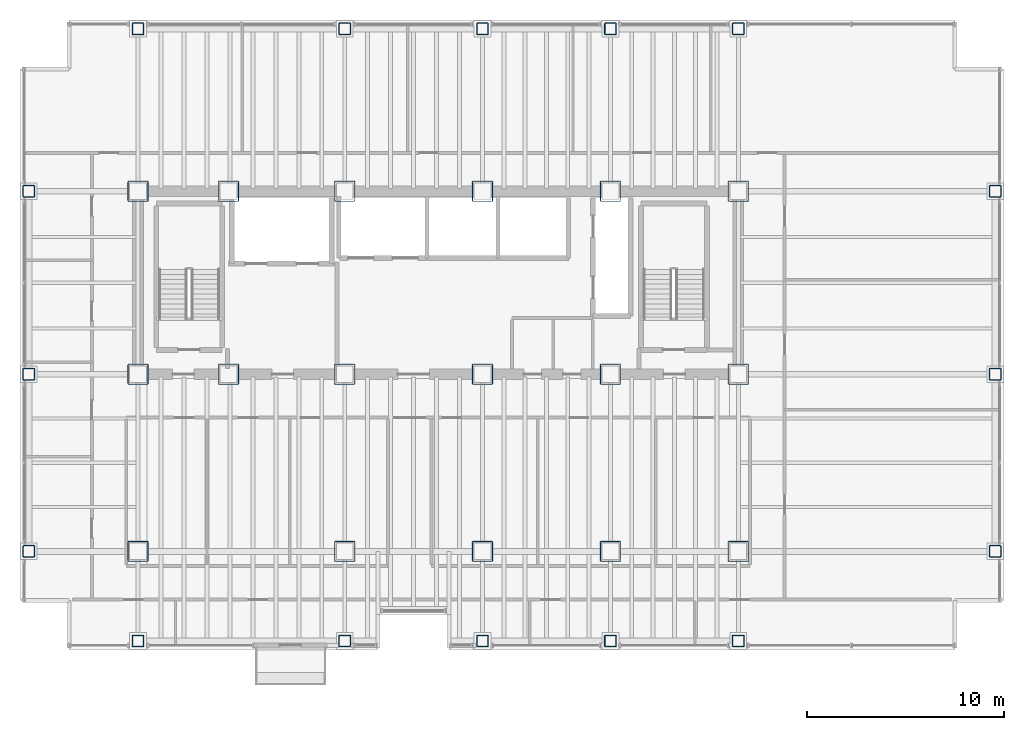
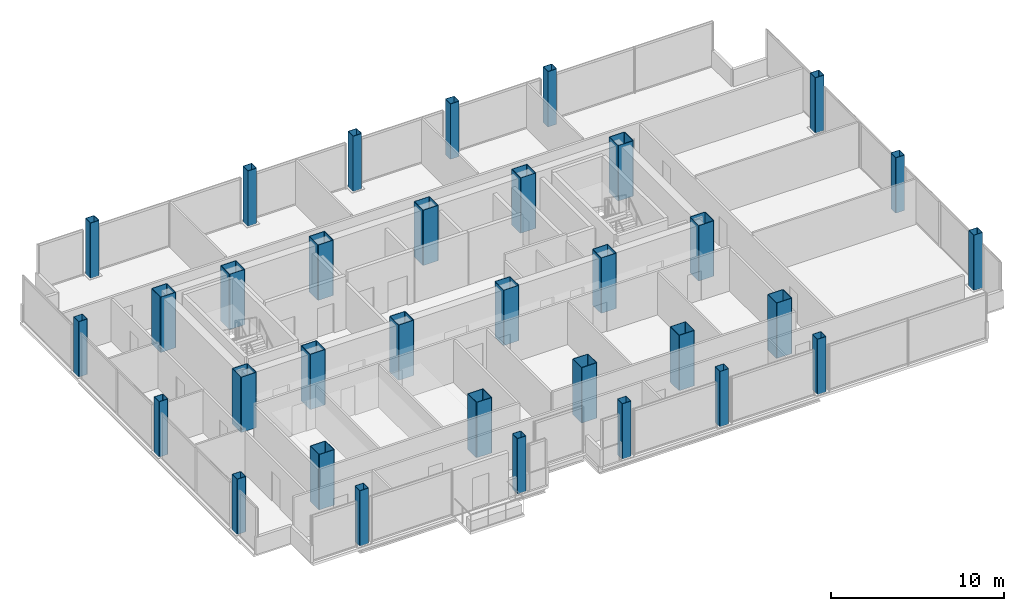
# One storey, part 1 of 20: 33 columns.
"""IFC4 building model written with IfcOpenShell, lengths in metres."""

from ifc_helpers import new_model, si_unit, direction, frame, origin, origin_2d, place, context, subcontext, project, spatial, hollow_rectangle, extrude, material, material_profile, profile_set, type_object, element, save


model = new_model("IFC4")

# Units and contexts
model_context = context("Model", 3, precision=1e-05, world=origin(), true_north=direction((0.0, 1.0)))
body_context = subcontext(model_context, "Body", "Model", "MODEL_VIEW")
ifc_project = project(units=[si_unit("LENGTHUNIT", "METRE"), si_unit("AREAUNIT", "SQUARE_METRE"), si_unit("VOLUMEUNIT", "CUBIC_METRE"), si_unit("PLANEANGLEUNIT", "RADIAN"), si_unit("MASSUNIT", "GRAM", prefix="KILO")], contexts=[model_context])

# Site, building, storey
site_placement = place(None, origin())
site = spatial("IfcSite", under=ifc_project, at=site_placement, CompositionType="ELEMENT")
building_placement = place(site_placement, origin())
building = spatial("IfcBuilding", under=site, at=building_placement, Name="Noeulbin Bourse Tower", CompositionType="ELEMENT")
storey_placement = place(building_placement, frame((0.0, 0.0, 61.60009765625)))
storey = spatial("IfcBuildingStorey", under=building, at=storey_placement, Name="L15", CompositionType="ELEMENT", Elevation=61.60009765625)

# Columns
ifc_material = material(Name="Steel S460", Category="steel")
ifc_material_profile_1 = material_profile(ifc_material, hollow_rectangle(XDim=0.60009765625, YDim=0.60009765625, WallThickness=0.02587890625, InnerFilletRadius=0.012939453125, OuterFilletRadius=0.0390625, at=origin_2d()), Name="BOX-600x600x26", Category="LoadBearing")
ifc_profile_set_1 = profile_set([ifc_material_profile_1], Name="Steel S460")
column_type_1 = type_object("IfcColumnType", Name="COL-PER-Z1", PredefinedType="COLUMN", material=ifc_profile_set_1)
for number, where, z_axis, x_axis, name in (
    (1, (7.949951171875, 20.0, 0.0), (0.0, 0.0, 1.0), (1.0, 0.0, 0.0), "Tower Perimeter Column COL-PER-Z1 01"),
    (2, (7.949951171875, 29.0, 0.0), (0.0, 0.0, 1.0), (1.0, 0.0, 0.0), "Tower Perimeter Column COL-PER-Z1 02"),
    (3, (7.949951171875, 38.300048828125, 0.0), (0.0, 0.0, 1.0), (1.0, 0.0, 0.0), "Tower Perimeter Column COL-PER-Z1 03"),
    (4, (13.5, 15.449951171875, 0.0), (0.0, 0.0, 1.0), (1.0, 0.0, 0.0), "Tower Perimeter Column COL-PER-Z1 04"),
    (5, (13.5, 46.550048828125, 0.0), (0.0, 0.0, 1.0), (1.0, 0.0, 0.0), "Tower Perimeter Column COL-PER-Z1 05"),
    (6, (24.0, 15.449951171875, 0.0), (0.0, 0.0, 1.0), (1.0, 0.0, 0.0), "Tower Perimeter Column COL-PER-Z1 06"),
    (7, (24.0, 46.550048828125, 0.0), (0.0, 0.0, 1.0), (1.0, 0.0, 0.0), "Tower Perimeter Column COL-PER-Z1 07"),
    (8, (31.0, 15.449951171875, 0.0), (0.0, 0.0, 1.0), (1.0, 0.0, 0.0), "Tower Perimeter Column COL-PER-Z1 08"),
    (9, (31.0, 46.550048828125, 0.0), (0.0, 0.0, 1.0), (1.0, 0.0, 0.0), "Tower Perimeter Column COL-PER-Z1 09"),
    (10, (37.5, 15.449951171875, 0.0), (0.0, 0.0, 1.0), (1.0, 0.0, 0.0), "Tower Perimeter Column COL-PER-Z1 10"),
    (11, (37.5, 46.550048828125, 0.0), (0.0, 0.0, 1.0), (1.0, 0.0, 0.0), "Tower Perimeter Column COL-PER-Z1 11"),
    (12, (44.0, 15.449951171875, 0.0), (0.0, 0.0, 1.0), (1.0, 0.0, 0.0), "Tower Perimeter Column COL-PER-Z1 12"),
    (13, (44.0, 46.550048828125, 0.0), (0.0, 0.0, 1.0), (1.0, 0.0, 0.0), "Tower Perimeter Column COL-PER-Z1 13"),
    (14, (57.050048828125, 20.0, 0.0), (0.0, 0.0, 1.0), (1.0, 0.0, 0.0), "Tower Perimeter Column COL-PER-Z1 14"),
    (15, (57.050048828125, 29.0, 0.0), (0.0, 0.0, 1.0), (1.0, 0.0, 0.0), "Tower Perimeter Column COL-PER-Z1 15"),
    (16, (57.050048828125, 38.300048828125, 0.0), (0.0, 0.0, 1.0), (1.0, 0.0, 0.0), "Tower Perimeter Column COL-PER-Z1 16"),
):
    element("IfcColumn", number, at=place(storey_placement, frame(where, z_axis=z_axis, x_axis=x_axis)), inside=storey, type_object=column_type_1, Name=name, PredefinedType="COLUMN", context=body_context, shape_type="SweptSolid", body=[
        extrude(hollow_rectangle(XDim=0.60009765625, YDim=0.60009765625, WallThickness=0.02587890625, InnerFilletRadius=0.012939453125, OuterFilletRadius=0.0390625, at=origin_2d()), origin(), (0.0, 0.0, 1.0), 3.89990234375),
    ])
ifc_material_profile_2 = material_profile(ifc_material, hollow_rectangle(XDim=1.050048828125, YDim=1.050048828125, WallThickness=0.0380859375, InnerFilletRadius=0.01904296875, OuterFilletRadius=0.056884765625, at=origin_2d()), Name="BOX-1050x1050x38", Category="LoadBearing")
ifc_profile_set_2 = profile_set([ifc_material_profile_2], Name="Steel S460")
column_type_2 = type_object("IfcColumnType", Name="COL-TRK-Z1", PredefinedType="COLUMN", material=ifc_profile_set_2)
for number, where, z_axis, x_axis, name in (
    (17, (13.5, 29.0, 0.0), (0.0, 0.0, 1.0), (1.0, 0.0, 0.0), "Tower Trunk Mega-Column COL-TRK-Z1 01"),
    (18, (13.5, 38.300048828125, 0.0), (0.0, 0.0, 1.0), (1.0, 0.0, 0.0), "Tower Trunk Mega-Column COL-TRK-Z1 02"),
    (19, (18.10009765625, 29.0, 0.0), (0.0, 0.0, 1.0), (1.0, 0.0, 0.0), "Tower Trunk Mega-Column COL-TRK-Z1 03"),
    (20, (18.10009765625, 38.300048828125, 0.0), (0.0, 0.0, 1.0), (1.0, 0.0, 0.0), "Tower Trunk Mega-Column COL-TRK-Z1 04"),
    (21, (24.0, 29.0, 0.0), (0.0, 0.0, 1.0), (1.0, 0.0, 0.0), "Tower Trunk Mega-Column COL-TRK-Z1 05"),
    (22, (24.0, 38.300048828125, 0.0), (0.0, 0.0, 1.0), (1.0, 0.0, 0.0), "Tower Trunk Mega-Column COL-TRK-Z1 06"),
    (23, (31.0, 29.0, 0.0), (0.0, 0.0, 1.0), (1.0, 0.0, 0.0), "Tower Trunk Mega-Column COL-TRK-Z1 07"),
    (24, (31.0, 38.300048828125, 0.0), (0.0, 0.0, 1.0), (1.0, 0.0, 0.0), "Tower Trunk Mega-Column COL-TRK-Z1 08"),
    (25, (37.5, 29.0, 0.0), (0.0, 0.0, 1.0), (1.0, 0.0, 0.0), "Tower Trunk Mega-Column COL-TRK-Z1 09"),
    (26, (37.5, 38.300048828125, 0.0), (0.0, 0.0, 1.0), (1.0, 0.0, 0.0), "Tower Trunk Mega-Column COL-TRK-Z1 10"),
    (27, (44.0, 29.0, 0.0), (0.0, 0.0, 1.0), (1.0, 0.0, 0.0), "Tower Trunk Mega-Column COL-TRK-Z1 11"),
    (28, (44.0, 38.300048828125, 0.0), (0.0, 0.0, 1.0), (1.0, 0.0, 0.0), "Tower Trunk Mega-Column COL-TRK-Z1 12"),
    (29, (13.5, 20.0, 0.0), (0.0, 0.0, 1.0), (1.0, 0.0, 0.0), "Tower Trunk Mega-Column COL-TRK-Z1 13"),
    (30, (24.0, 20.0, 0.0), (0.0, 0.0, 1.0), (1.0, 0.0, 0.0), "Tower Trunk Mega-Column COL-TRK-Z1 14"),
    (31, (31.0, 20.0, 0.0), (0.0, 0.0, 1.0), (1.0, 0.0, 0.0), "Tower Trunk Mega-Column COL-TRK-Z1 15"),
    (32, (37.5, 20.0, 0.0), (0.0, 0.0, 1.0), (1.0, 0.0, 0.0), "Tower Trunk Mega-Column COL-TRK-Z1 16"),
    (33, (44.0, 20.0, 0.0), (0.0, 0.0, 1.0), (1.0, 0.0, 0.0), "Tower Trunk Mega-Column COL-TRK-Z1 17"),
):
    element("IfcColumn", number, at=place(storey_placement, frame(where, z_axis=z_axis, x_axis=x_axis)), inside=storey, type_object=column_type_2, Name=name, PredefinedType="COLUMN", context=body_context, shape_type="SweptSolid", body=[
        extrude(hollow_rectangle(XDim=1.050048828125, YDim=1.050048828125, WallThickness=0.0380859375, InnerFilletRadius=0.01904296875, OuterFilletRadius=0.056884765625, at=origin_2d()), origin(), (0.0, 0.0, 1.0), 3.89990234375),
    ])

save(model, "model.ifc")
